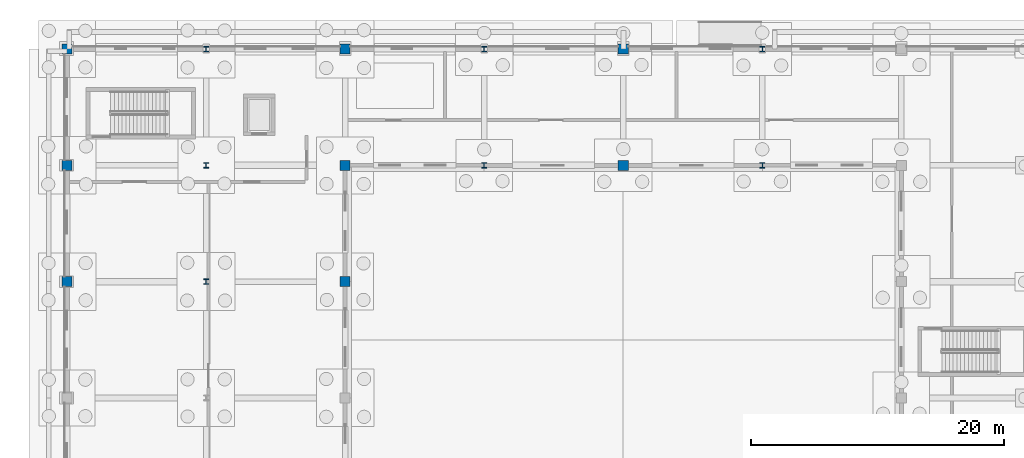
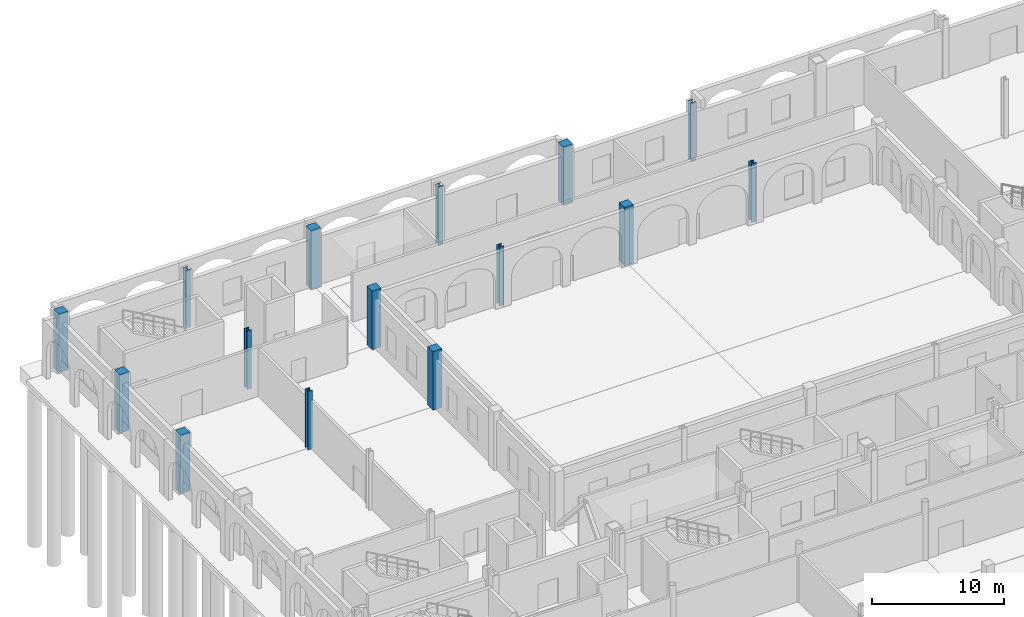
# One storey, part 21 of 83: 15 columns.
"""IFC4 building model written with IfcOpenShell, lengths in metres."""

from ifc_helpers import new_model, si_unit, direction, frame, origin, origin_2d, place, context, subcontext, project, spatial, rectangle, i_section, extrude, material, material_profile, profile_set, type_object, element, save


model = new_model("IFC4")

# Units and contexts
model_context = context("Model", 3, precision=1e-05, world=origin(), true_north=direction((0.0, 1.0)))
body_context = subcontext(model_context, "Body", "Model", "MODEL_VIEW")
ifc_project = project(units=[si_unit("LENGTHUNIT", "METRE"), si_unit("AREAUNIT", "SQUARE_METRE"), si_unit("VOLUMEUNIT", "CUBIC_METRE"), si_unit("PLANEANGLEUNIT", "RADIAN"), si_unit("MASSUNIT", "GRAM", prefix="KILO")], contexts=[model_context])

# Site, building, storey
site_placement = place(None, origin())
site = spatial("IfcSite", under=ifc_project, at=site_placement, CompositionType="ELEMENT")
building_placement = place(site_placement, origin())
building = spatial("IfcBuilding", under=site, at=building_placement, Name="Caurita Quay Ferry Terminal", CompositionType="ELEMENT")
storey_placement = place(building_placement, origin())
storey = spatial("IfcBuildingStorey", under=building, at=storey_placement, Name="L00", CompositionType="ELEMENT", Elevation=0.0)

# Columns
ifc_material_1 = material(Name="Marine reinforced concrete C40/50", Category="concrete")
ifc_material_profile_1 = material_profile(ifc_material_1, rectangle(XDim=0.800048828125, YDim=0.800048828125, at=origin_2d()), Name="RC-COL-800X800")
ifc_profile_set_1 = profile_set([ifc_material_profile_1], Name="Marine reinforced concrete C40/50")
column_type_1 = type_object("IfcColumnType", Name="COL-RC-800", PredefinedType="COLUMN", material=ifc_profile_set_1)
for number, where, z_axis, x_axis, name in (
    (1, (0.0, 98.60009765625, 0.0), (0.0, 0.0, 1.0), (1.0, 0.0, 0.0), "L00 Column V5-01-P"),
    (2, (0.0, 107.800048828125, 0.0), (0.0, 0.0, 1.0), (1.0, 0.0, 0.0), "L00 Column V5-01-Q"),
    (3, (0.0, 117.0, 0.0), (0.0, 0.0, 1.0), (1.0, 0.0, 0.0), "L00 Column V5-01-R"),
    (4, (22.0, 98.60009765625, 0.0), (0.0, 0.0, 1.0), (1.0, 0.0, 0.0), "L00 Column V5-03-P"),
    (5, (22.0, 107.800048828125, 0.0), (0.0, 0.0, 1.0), (1.0, 0.0, 0.0), "L00 Column V5-03-Q"),
    (6, (22.0, 117.0, 0.0), (0.0, 0.0, 1.0), (1.0, 0.0, 0.0), "L00 Column V5-03-R"),
    (7, (44.0, 107.800048828125, 0.0), (0.0, 0.0, 1.0), (1.0, 0.0, 0.0), "L00 Column V5-05-Q"),
    (8, (44.0, 117.0, 0.0), (0.0, 0.0, 1.0), (1.0, 0.0, 0.0), "L00 Column V5-05-R"),
):
    element("IfcColumn", number, at=place(storey_placement, frame(where, z_axis=z_axis, x_axis=x_axis)), inside=storey, type_object=column_type_1, Name=name, PredefinedType="COLUMN", context=body_context, shape_type="SweptSolid", body=[
        extrude(rectangle(XDim=0.800048828125, YDim=0.800048828125, at=origin_2d()), origin(), (0.0, 0.0, 1.0), 5.39990234375),
    ])
ifc_material_2 = material(Name="Structural steel ASTM A992 Gr. 50", Category="steel")
ifc_material_profile_2 = material_profile(ifc_material_2, i_section(OverallWidth=0.410888671875, OverallDepth=0.43408203125, WebThickness=0.035888671875, FlangeThickness=0.057373046875, at=origin_2d()), Name="W14X311")
ifc_profile_set_2 = profile_set([ifc_material_profile_2], Name="Structural steel ASTM A992 Gr. 50")
column_type_2 = type_object("IfcColumnType", Name="COL-STL-01", PredefinedType="COLUMN", material=ifc_profile_set_2)
for number, where, z_axis, x_axis, name in (
    (9, (11.0, 98.60009765625, 0.0), (0.0, 0.0, 1.0), (1.0, 0.0, 0.0), "L00 Column V5-02-P"),
    (10, (11.0, 107.800048828125, 0.0), (0.0, 0.0, 1.0), (1.0, 0.0, 0.0), "L00 Column V5-02-Q"),
    (11, (11.0, 117.0, 0.0), (0.0, 0.0, 1.0), (1.0, 0.0, 0.0), "L00 Column V5-02-R"),
    (12, (33.0, 107.800048828125, 0.0), (0.0, 0.0, 1.0), (1.0, 0.0, 0.0), "L00 Column V5-04-Q"),
    (13, (33.0, 117.0, 0.0), (0.0, 0.0, 1.0), (1.0, 0.0, 0.0), "L00 Column V5-04-R"),
    (14, (55.0, 107.800048828125, 0.0), (0.0, 0.0, 1.0), (1.0, 0.0, 0.0), "L00 Column V5-06-Q"),
    (15, (55.0, 117.0, 0.0), (0.0, 0.0, 1.0), (1.0, 0.0, 0.0), "L00 Column V5-06-R"),
):
    element("IfcColumn", number, at=place(storey_placement, frame(where, z_axis=z_axis, x_axis=x_axis)), inside=storey, type_object=column_type_2, Name=name, PredefinedType="COLUMN", context=body_context, shape_type="SweptSolid", body=[
        extrude(i_section(OverallWidth=0.410888671875, OverallDepth=0.43408203125, WebThickness=0.035888671875, FlangeThickness=0.057373046875, at=origin_2d()), origin(), (0.0, 0.0, 1.0), 5.39990234375),
    ])

save(model, "model.ifc")
